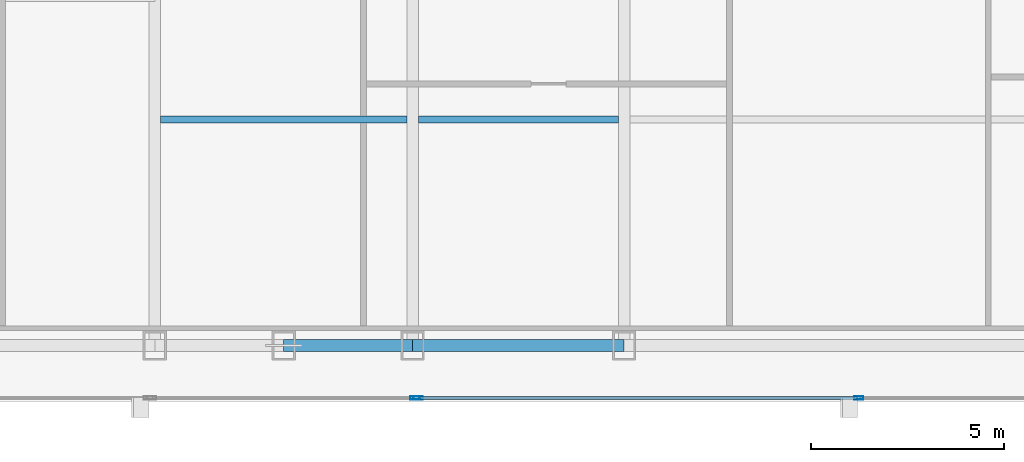
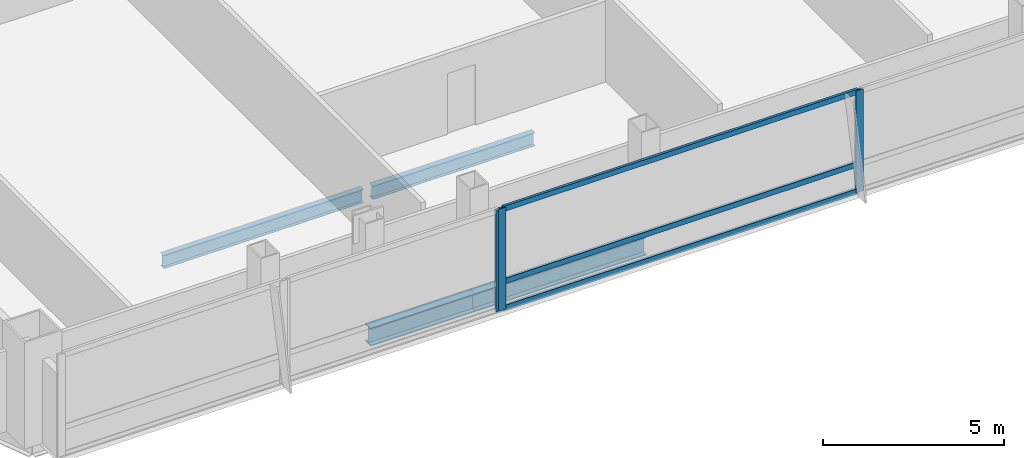
# One storey, part 8 of 30: 6 members, 4 beams, 2 elements without a shape of their own.
"""IFC4 building model written with IfcOpenShell, lengths in metres."""

from ifc_helpers import new_model, si_unit, direction, frame, origin, origin_2d, place, context, subcontext, project, spatial, hollow_rectangle, i_section, extrude, material, material_profile, profile_set, type_object, element, aggregate, save


model = new_model("IFC4")

# Units and contexts
model_context = context("Model", 3, precision=1e-05, world=origin(), true_north=direction((0.0, 1.0)))
body_context = subcontext(model_context, "Body", "Model", "MODEL_VIEW")
ifc_project = project(units=[si_unit("LENGTHUNIT", "METRE"), si_unit("AREAUNIT", "SQUARE_METRE"), si_unit("VOLUMEUNIT", "CUBIC_METRE"), si_unit("PLANEANGLEUNIT", "RADIAN"), si_unit("MASSUNIT", "GRAM", prefix="KILO")], contexts=[model_context])

# Site, building, storey
site_placement = place(None, origin())
site = spatial("IfcSite", under=ifc_project, at=site_placement, CompositionType="ELEMENT")
building_placement = place(site_placement, origin())
building = spatial("IfcBuilding", under=site, at=building_placement, Name="Khoronbel Lancet Exchange", CompositionType="ELEMENT")
storey_placement = place(building_placement, frame((0.0, 0.0, 206.60009765625)))
storey = spatial("IfcBuildingStorey", under=building, at=storey_placement, Name="L52", CompositionType="ELEMENT", Elevation=206.60009765625)

# Beams
ifc_material_1 = material(Name="Steel S355", Category="steel")
ifc_material_profile_1 = material_profile(ifc_material_1, i_section(OverallWidth=0.18994140625, OverallDepth=0.449951171875, WebThickness=0.009521484375, FlangeThickness=0.0146484375, at=origin_2d()), Name="IPE 450")
ifc_profile_set_1 = profile_set([ifc_material_profile_1], Name="Steel S355")
beam_type_1 = type_object("IfcBeamType", Name="BM-BJ4", PredefinedType="JOIST", material=ifc_profile_set_1)
beam_1_placement = place(storey_placement, frame((18.375, 16.0, -0.385009765625), z_axis=(1.0, 0.0, 0.0), x_axis=(0.0, 1.0, 0.0)))
element("IfcBeam", 1, at=beam_1_placement, inside=storey, type_object=beam_type_1, Name="Level L52 secondary composite joist J01", PredefinedType="JOIST", context=body_context, shape_type="SweptSolid", body=[
    extrude(i_section(OverallWidth=0.18994140625, OverallDepth=0.449951171875, WebThickness=0.009521484375, FlangeThickness=0.0146484375, at=origin_2d()), origin(), (0.0, 0.0, 1.0), 6.375),
])
beam_2_placement = place(storey_placement, frame((25.050048828125, 16.0, -0.385009765625), z_axis=(1.0, 0.0, 0.0), x_axis=(0.0, 1.0, 0.0)))
element("IfcBeam", 2, at=beam_2_placement, inside=storey, type_object=beam_type_1, Name="Level L52 secondary composite joist J02", PredefinedType="JOIST", context=body_context, shape_type="SweptSolid", body=[
    extrude(i_section(OverallWidth=0.18994140625, OverallDepth=0.449951171875, WebThickness=0.009521484375, FlangeThickness=0.0146484375, at=origin_2d()), origin(), (0.0, 0.0, 1.0), 5.175048828125),
])
ifc_material_profile_2 = material_profile(ifc_material_1, i_section(OverallWidth=0.300048828125, OverallDepth=0.60009765625, WebThickness=0.015380859375, FlangeThickness=0.030029296875, at=origin_2d()), Name="HEB 600")
ifc_profile_set_2 = profile_set([ifc_material_profile_2], Name="Steel S355")
beam_type_2 = type_object("IfcBeamType", Name="BM-BSP2", PredefinedType="SPANDREL", material=ifc_profile_set_2)
beam_3_placement = place(storey_placement, frame((21.5625, 10.14990234375, -0.460205078125), z_axis=(1.0, 0.0, 0.0), x_axis=(0.0, 1.0, 0.0)))
element("IfcBeam", 3, at=beam_3_placement, inside=storey, type_object=beam_type_2, Name="Level L52 perimeter spandrel beam SP03", PredefinedType="SPANDREL", context=body_context, shape_type="SweptSolid", body=[
    extrude(i_section(OverallWidth=0.300048828125, OverallDepth=0.60009765625, WebThickness=0.015380859375, FlangeThickness=0.030029296875, at=origin_2d()), origin(), (0.0, 0.0, 1.0), 3.33740234375),
])
beam_4_placement = place(storey_placement, frame((24.89990234375, 10.14990234375, -0.460205078125), z_axis=(1.0, 0.0, 0.0), x_axis=(0.0, 1.0, 0.0)))
element("IfcBeam", 4, at=beam_4_placement, inside=storey, type_object=beam_type_2, Name="Level L52 perimeter spandrel beam SP04", PredefinedType="SPANDREL", context=body_context, shape_type="SweptSolid", body=[
    extrude(i_section(OverallWidth=0.300048828125, OverallDepth=0.60009765625, WebThickness=0.015380859375, FlangeThickness=0.030029296875, at=origin_2d()), origin(), (0.0, 0.0, 1.0), 5.47509765625),
])

# Curtain wall, member
ifc_material_2 = material(Name="Low-E Solar Control Insulating Glass", Category="glass")
curtain_wall_type = type_object("IfcCurtainWallType", Name="CW-3", PredefinedType="NOTDEFINED", material=ifc_material_2)
curtain_wall_1_placement = place(storey_placement, origin())
curtain_wall_1 = element("IfcCurtainWall", 5, at=curtain_wall_1_placement, inside=storey, type_object=curtain_wall_type, Name="Unitised curtain wall CW-L52-SWB", PredefinedType="NOTDEFINED")
ifc_material_3 = material(Name="Bronze-Anodised Aluminium 6063-T6", Category="aluminium")
ifc_material_profile_3 = material_profile(ifc_material_3, hollow_rectangle(XDim=0.0849609375, YDim=0.239990234375, WallThickness=0.006103515625, at=origin_2d()), Name="ALU MULLION 85x240")
ifc_profile_set_3 = profile_set([ifc_material_profile_3], Name="Bronze-Anodised Aluminium 6063-T6")
member_type_1 = type_object("IfcMemberType", Name="MEM-CWM1", PredefinedType="MULLION", material=ifc_profile_set_3)
member_1_placement = place(storey_placement, frame((24.95751953125, 8.7900390625, 0.0), z_axis=(0.0, 0.0, 1.0), x_axis=(0.0, 1.0, 0.0)))
member_1 = element("IfcMember", 6, at=member_1_placement, type_object=member_type_1, Name="CW3 mullion 2", PredefinedType="MULLION", context=body_context, shape_type="SweptSolid", body=[
    extrude(hollow_rectangle(XDim=0.0849609375, YDim=0.239990234375, WallThickness=0.006103515625, at=origin_2d()), origin(), (0.0, 0.0, 1.0), 3.43994140625),
])
aggregate(curtain_wall_1, [member_1])

# Curtain wall, members
curtain_wall_2_placement = place(storey_placement, origin())
curtain_wall_2 = element("IfcCurtainWall", 7, at=curtain_wall_2_placement, inside=storey, type_object=curtain_wall_type, Name="Unitised curtain wall CW-L52-SCV", PredefinedType="NOTDEFINED")
member_2_placement = place(storey_placement, frame((25.04248046875, 8.7900390625, 0.0), z_axis=(0.0, 0.0, 1.0), x_axis=(0.0, 1.0, 0.0)))
member_2 = element("IfcMember", 8, at=member_2_placement, type_object=member_type_1, Name="CW3 mullion 1", PredefinedType="MULLION", context=body_context, shape_type="SweptSolid", body=[
    extrude(hollow_rectangle(XDim=0.0849609375, YDim=0.239990234375, WallThickness=0.006103515625, at=origin_2d()), origin(), (0.0, 0.0, 1.0), 3.43994140625),
])
member_3_placement = place(storey_placement, frame((36.449951171875, 8.7900390625, 0.0), z_axis=(0.0, 0.0, 1.0), x_axis=(0.0, 1.0, 0.0)))
member_3 = element("IfcMember", 9, at=member_3_placement, type_object=member_type_1, Name="CW3 mullion 2", PredefinedType="MULLION", context=body_context, shape_type="SweptSolid", body=[
    extrude(hollow_rectangle(XDim=0.0849609375, YDim=0.239990234375, WallThickness=0.006103515625, at=origin_2d()), origin(), (0.0, 0.0, 1.0), 3.43994140625),
])
ifc_material_profile_4 = material_profile(ifc_material_3, hollow_rectangle(XDim=0.0849609375, YDim=0.179931640625, WallThickness=0.0048828125, at=origin_2d()), Name="ALU TRANSOM 85x180")
ifc_profile_set_4 = profile_set([ifc_material_profile_4], Name="Bronze-Anodised Aluminium 6063-T6")
member_type_2 = type_object("IfcMemberType", Name="MEM-CWT1", PredefinedType="USERDEFINED", material=ifc_profile_set_4)
member_4_placement = place(storey_placement, frame((25.0849609375, 8.7900390625, 0.04248046875), z_axis=(1.0, 0.0, 0.0), x_axis=(0.0, 1.0, 0.0)))
member_4 = element("IfcMember", 10, at=member_4_placement, type_object=member_type_2, Name="CW3 transom 1.1", ObjectType="TRANSOM", PredefinedType="USERDEFINED", context=body_context, shape_type="SweptSolid", body=[
    extrude(hollow_rectangle(XDim=0.0849609375, YDim=0.179931640625, WallThickness=0.0048828125, at=origin_2d()), origin(), (0.0, 0.0, 1.0), 11.322509765625),
])
member_5_placement = place(storey_placement, frame((25.0849609375, 8.7900390625, 0.949951171875), z_axis=(1.0, 0.0, 0.0), x_axis=(0.0, 1.0, 0.0)))
member_5 = element("IfcMember", 11, at=member_5_placement, type_object=member_type_2, Name="CW3 transom 1.2", ObjectType="TRANSOM", PredefinedType="USERDEFINED", context=body_context, shape_type="SweptSolid", body=[
    extrude(hollow_rectangle(XDim=0.0849609375, YDim=0.179931640625, WallThickness=0.0048828125, at=origin_2d()), origin(), (0.0, 0.0, 1.0), 11.322509765625),
])
member_6_placement = place(storey_placement, frame((25.0849609375, 8.7900390625, 3.3974609375), z_axis=(1.0, 0.0, 0.0), x_axis=(0.0, 1.0, 0.0)))
member_6 = element("IfcMember", 12, at=member_6_placement, type_object=member_type_2, Name="CW3 transom 1.3", ObjectType="TRANSOM", PredefinedType="USERDEFINED", context=body_context, shape_type="SweptSolid", body=[
    extrude(hollow_rectangle(XDim=0.0849609375, YDim=0.179931640625, WallThickness=0.0048828125, at=origin_2d()), origin(), (0.0, 0.0, 1.0), 11.322509765625),
])
aggregate(curtain_wall_2, [member_2, member_3, member_4, member_5, member_6])

save(model, "model.ifc")
